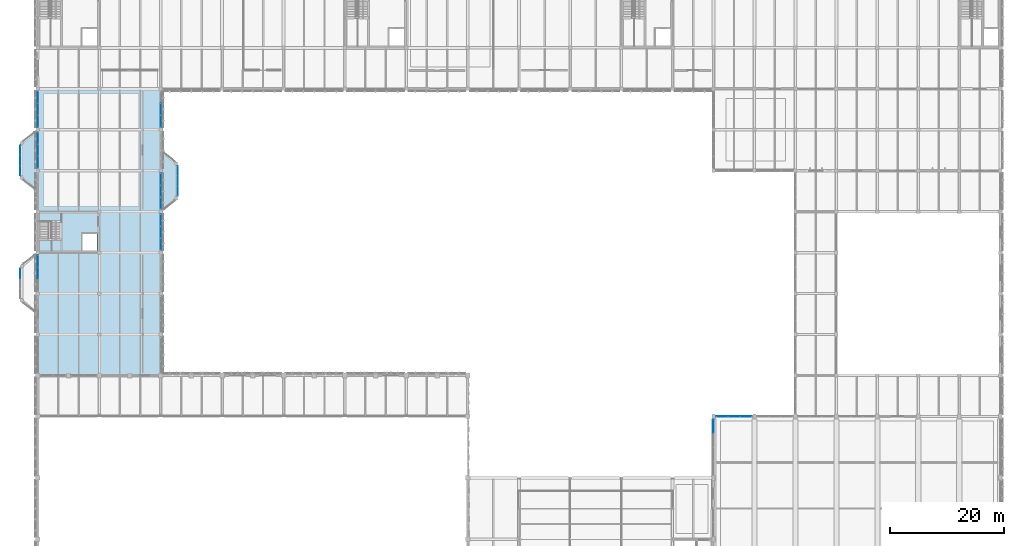
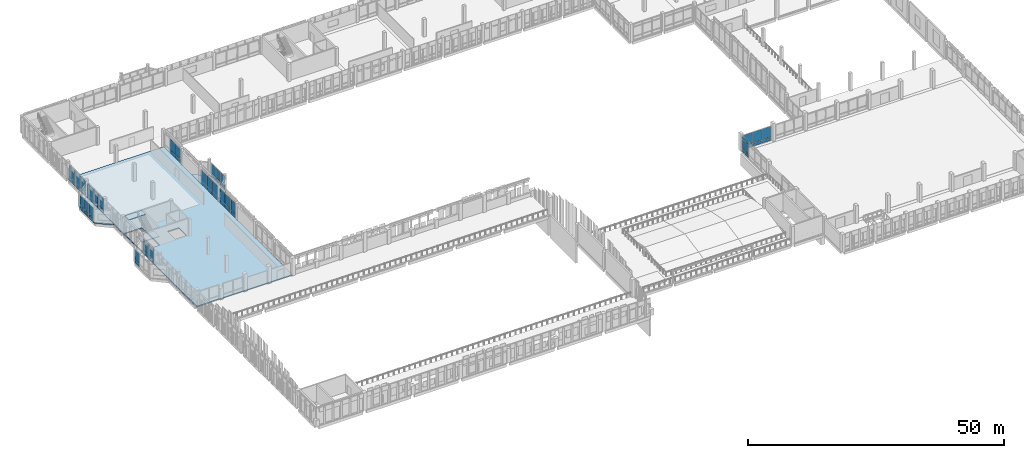
# One storey, part 122 of 158: 55 plates, 5 slabs, 12 elements without a shape of their own.
"""IFC4 building model written with IfcOpenShell, lengths in metres."""

from ifc_helpers import new_model, si_unit, direction, frame, origin, origin_2d, place, context, subcontext, project, spatial, polyline, rectangle, outline, extrude, material, layer, layer_set, type_object, element, aggregate, save


model = new_model("IFC4")

# Units and contexts
model_context = context("Model", 3, precision=1e-05, world=origin(), true_north=direction((0.0, 1.0)))
body_context = subcontext(model_context, "Body", "Model", "MODEL_VIEW")
ifc_project = project(units=[si_unit("LENGTHUNIT", "METRE"), si_unit("AREAUNIT", "SQUARE_METRE"), si_unit("VOLUMEUNIT", "CUBIC_METRE"), si_unit("PLANEANGLEUNIT", "RADIAN"), si_unit("MASSUNIT", "GRAM", prefix="KILO")], contexts=[model_context])

# Site, building, storey
site_placement = place(None, origin())
site = spatial("IfcSite", under=ifc_project, at=site_placement, CompositionType="ELEMENT")
building_placement = place(site_placement, origin())
building = spatial("IfcBuilding", under=site, at=building_placement, Name="Lusvemor Sports Hall", CompositionType="ELEMENT")
storey_placement = place(building_placement, frame((0.0, 0.0, 10.800048828125)))
storey = spatial("IfcBuildingStorey", under=building, at=storey_placement, Name="L02", CompositionType="ELEMENT", Elevation=10.800048828125)

# Curtain wall, plates
ifc_material_1 = material(Name="Thermally broken bronze-anodized aluminium", Category="aluminium")
curtain_wall_type_1 = type_object("IfcCurtainWallType", Name="CW_COURT_C", PredefinedType="NOTDEFINED", material=ifc_material_1)
curtain_wall_1_placement = place(storey_placement, origin())
curtain_wall_1 = element("IfcCurtainWall", 1, at=curtain_wall_1_placement, inside=storey, type_object=curtain_wall_type_1, Name="Curtain Wall CW-V2N-L02-0", PredefinedType="NOTDEFINED")
ifc_material_2 = material(Name="Solar-control laminated double glazing", Category="glass")
ifc_layer_1 = layer(ifc_material_2, 0.028076171875)
ifc_layer_set_1 = layer_set([ifc_layer_1], Name="Solar-control laminated double glazing")
plate_type_1 = type_object("IfcPlateType", Name="CW_PAN_GLZ_28", PredefinedType="CURTAIN_PANEL", material=ifc_layer_set_1)
plate_1_placement = place(storey_placement, frame((120.3095703125, 39.60009765625, 0.8798828125), z_axis=(0.0, 0.0, 1.0), x_axis=(1.0, 0.0, 0.0)))
plate_1 = element("IfcPlate", 2, at=plate_1_placement, type_object=plate_type_1, Name="CW03 panel 1.2", PredefinedType="CURTAIN_PANEL", context=body_context, shape_type="SweptSolid", body=[
    extrude(rectangle(XDim=2.00927734375, YDim=0.028076171875, at=origin_2d()), origin(), (0.0, 0.0, 1.0), 2.56005859375),
])
plate_2_placement = place(storey_placement, frame((122.39990234375, 39.60009765625, 0.8798828125), z_axis=(0.0, 0.0, 1.0), x_axis=(1.0, 0.0, 0.0)))
plate_2 = element("IfcPlate", 3, at=plate_2_placement, type_object=plate_type_1, Name="CW03 panel 2.2", PredefinedType="CURTAIN_PANEL", context=body_context, shape_type="SweptSolid", body=[
    extrude(rectangle(XDim=2.041748046875, YDim=0.028076171875, at=origin_2d()), origin(), (0.0, 0.0, 1.0), 2.56005859375),
])
plate_3_placement = place(storey_placement, frame((124.490478515625, 39.60009765625, 0.8798828125), z_axis=(0.0, 0.0, 1.0), x_axis=(1.0, 0.0, 0.0)))
plate_3 = element("IfcPlate", 4, at=plate_3_placement, type_object=plate_type_1, Name="CW03 panel 3.2", PredefinedType="CURTAIN_PANEL", context=body_context, shape_type="SweptSolid", body=[
    extrude(rectangle(XDim=2.00927734375, YDim=0.028076171875, at=origin_2d()), origin(), (0.0, 0.0, 1.0), 2.56005859375),
])

ifc_material_3 = material(Name="Thermally broken bronze-anodized aluminium", Category="aluminium")
curtain_wall_type_2 = type_object("IfcCurtainWallType", Name="CW_WING_B", PredefinedType="NOTDEFINED", material=ifc_material_3)
curtain_wall_2_placement = place(storey_placement, origin())
curtain_wall_2 = element("IfcCurtainWall", 5, at=curtain_wall_2_placement, inside=storey, type_object=curtain_wall_type_2, Name="Curtain Wall CW-L02-W-0-2", PredefinedType="NOTDEFINED")
plate_4_placement = place(storey_placement, frame((0.0, 64.800048828125, 0.8798828125), z_axis=(0.0, 0.0, 1.0), x_axis=(0.0, 1.0, 0.0)))
plate_4 = element("IfcPlate", 6, at=plate_4_placement, type_object=plate_type_1, Name="CW02 panel 2.2", PredefinedType="CURTAIN_PANEL", context=body_context, shape_type="SweptSolid", body=[
    extrude(rectangle(XDim=2.054931640625, YDim=0.028076171875, at=origin_2d()), origin(), (0.0, 0.0, 1.0), 2.580078125),
])
plate_5_placement = place(storey_placement, frame((0.0, 66.90380859375, 0.8798828125), z_axis=(0.0, 0.0, 1.0), x_axis=(0.0, 1.0, 0.0)))
plate_5 = element("IfcPlate", 7, at=plate_5_placement, type_object=plate_type_1, Name="CW02 panel 3.2", PredefinedType="CURTAIN_PANEL", context=body_context, shape_type="SweptSolid", body=[
    extrude(rectangle(XDim=2.0224609375, YDim=0.028076171875, at=origin_2d()), origin(), (0.0, 0.0, 1.0), 2.580078125),
])

curtain_wall_3_placement = place(storey_placement, origin())
curtain_wall_3 = element("IfcCurtainWall", 8, at=curtain_wall_3_placement, inside=storey, type_object=curtain_wall_type_2, Name="Curtain Wall CW-L02-W-0-5", PredefinedType="NOTDEFINED")
plate_6_placement = place(storey_placement, frame((0.0, 84.296142578125, 0.8798828125), z_axis=(0.0, 0.0, 1.0), x_axis=(0.0, 1.0, 0.0)))
plate_6 = element("IfcPlate", 9, at=plate_6_placement, type_object=plate_type_1, Name="CW02 panel 1.2", PredefinedType="CURTAIN_PANEL", context=body_context, shape_type="SweptSolid", body=[
    extrude(rectangle(XDim=2.0224609375, YDim=0.028076171875, at=origin_2d()), origin(), (0.0, 0.0, 1.0), 2.580078125),
])
plate_7_placement = place(storey_placement, frame((0.0, 86.39990234375, 0.8798828125), z_axis=(0.0, 0.0, 1.0), x_axis=(0.0, 1.0, 0.0)))
plate_7 = element("IfcPlate", 10, at=plate_7_placement, type_object=plate_type_1, Name="CW02 panel 2.2", PredefinedType="CURTAIN_PANEL", context=body_context, shape_type="SweptSolid", body=[
    extrude(rectangle(XDim=2.054931640625, YDim=0.028076171875, at=origin_2d()), origin(), (0.0, 0.0, 1.0), 2.580078125),
])
plate_8_placement = place(storey_placement, frame((0.0, 88.503662109375, 0.8798828125), z_axis=(0.0, 0.0, 1.0), x_axis=(0.0, 1.0, 0.0)))
plate_8 = element("IfcPlate", 11, at=plate_8_placement, type_object=plate_type_1, Name="CW02 panel 3.2", PredefinedType="CURTAIN_PANEL", context=body_context, shape_type="SweptSolid", body=[
    extrude(rectangle(XDim=2.0224609375, YDim=0.028076171875, at=origin_2d()), origin(), (0.0, 0.0, 1.0), 2.580078125),
])

curtain_wall_4_placement = place(storey_placement, origin())
curtain_wall_4 = element("IfcCurtainWall", 12, at=curtain_wall_4_placement, inside=storey, type_object=curtain_wall_type_2, Name="Curtain Wall CW-L02-W-0-6", PredefinedType="NOTDEFINED")
plate_9_placement = place(storey_placement, frame((0.0, 91.496337890625, 0.8798828125), z_axis=(0.0, 0.0, 1.0), x_axis=(0.0, 1.0, 0.0)))
plate_9 = element("IfcPlate", 13, at=plate_9_placement, type_object=plate_type_1, Name="CW02 panel 1.2", PredefinedType="CURTAIN_PANEL", context=body_context, shape_type="SweptSolid", body=[
    extrude(rectangle(XDim=2.0224609375, YDim=0.028076171875, at=origin_2d()), origin(), (0.0, 0.0, 1.0), 2.580078125),
])
plate_10_placement = place(storey_placement, frame((0.0, 93.60009765625, 0.8798828125), z_axis=(0.0, 0.0, 1.0), x_axis=(0.0, 1.0, 0.0)))
plate_10 = element("IfcPlate", 14, at=plate_10_placement, type_object=plate_type_1, Name="CW02 panel 2.2", PredefinedType="CURTAIN_PANEL", context=body_context, shape_type="SweptSolid", body=[
    extrude(rectangle(XDim=2.054931640625, YDim=0.028076171875, at=origin_2d()), origin(), (0.0, 0.0, 1.0), 2.580078125),
])
plate_11_placement = place(storey_placement, frame((0.0, 95.703857421875, 0.8798828125), z_axis=(0.0, 0.0, 1.0), x_axis=(0.0, 1.0, 0.0)))
plate_11 = element("IfcPlate", 15, at=plate_11_placement, type_object=plate_type_1, Name="CW02 panel 3.2", PredefinedType="CURTAIN_PANEL", context=body_context, shape_type="SweptSolid", body=[
    extrude(rectangle(XDim=2.0224609375, YDim=0.028076171875, at=origin_2d()), origin(), (0.0, 0.0, 1.0), 2.580078125),
])

curtain_wall_5_placement = place(storey_placement, origin())
curtain_wall_5 = element("IfcCurtainWall", 16, at=curtain_wall_5_placement, inside=storey, type_object=curtain_wall_type_2, Name="Curtain Wall CW-L02-E-5-3", PredefinedType="NOTDEFINED")
plate_12_placement = place(storey_placement, frame((21.60009765625, 74.103759765625, 0.8798828125), z_axis=(0.0, 0.0, 1.0), x_axis=(0.0, -1.0, 0.0)))
plate_12 = element("IfcPlate", 17, at=plate_12_placement, type_object=plate_type_1, Name="CW02 panel 1.2", PredefinedType="CURTAIN_PANEL", context=body_context, shape_type="SweptSolid", body=[
    extrude(rectangle(XDim=2.0224609375, YDim=0.028076171875, at=origin_2d()), origin(), (0.0, 0.0, 1.0), 2.580078125),
])
plate_13_placement = place(storey_placement, frame((21.60009765625, 72.0, 0.8798828125), z_axis=(0.0, 0.0, 1.0), x_axis=(0.0, -1.0, 0.0)))
plate_13 = element("IfcPlate", 18, at=plate_13_placement, type_object=plate_type_1, Name="CW02 panel 2.2", PredefinedType="CURTAIN_PANEL", context=body_context, shape_type="SweptSolid", body=[
    extrude(rectangle(XDim=2.054931640625, YDim=0.028076171875, at=origin_2d()), origin(), (0.0, 0.0, 1.0), 2.580078125),
])
plate_14_placement = place(storey_placement, frame((21.60009765625, 69.896240234375, 0.8798828125), z_axis=(0.0, 0.0, 1.0), x_axis=(0.0, -1.0, 0.0)))
plate_14 = element("IfcPlate", 19, at=plate_14_placement, type_object=plate_type_1, Name="CW02 panel 3.2", PredefinedType="CURTAIN_PANEL", context=body_context, shape_type="SweptSolid", body=[
    extrude(rectangle(XDim=2.0224609375, YDim=0.028076171875, at=origin_2d()), origin(), (0.0, 0.0, 1.0), 2.580078125),
])

curtain_wall_6_placement = place(storey_placement, origin())
curtain_wall_6 = element("IfcCurtainWall", 20, at=curtain_wall_6_placement, inside=storey, type_object=curtain_wall_type_2, Name="Curtain Wall CW-L02-E-5-4", PredefinedType="NOTDEFINED")
plate_15_placement = place(storey_placement, frame((21.60009765625, 81.3037109375, 0.8798828125), z_axis=(0.0, 0.0, 1.0), x_axis=(0.0, -1.0, 0.0)))
plate_15 = element("IfcPlate", 21, at=plate_15_placement, type_object=plate_type_1, Name="CW02 panel 1.2", PredefinedType="CURTAIN_PANEL", context=body_context, shape_type="SweptSolid", body=[
    extrude(rectangle(XDim=2.0224609375, YDim=0.028076171875, at=origin_2d()), origin(), (0.0, 0.0, 1.0), 2.580078125),
])
plate_16_placement = place(storey_placement, frame((21.60009765625, 79.199951171875, 0.8798828125), z_axis=(0.0, 0.0, 1.0), x_axis=(0.0, -1.0, 0.0)))
plate_16 = element("IfcPlate", 22, at=plate_16_placement, type_object=plate_type_1, Name="CW02 panel 2.2", PredefinedType="CURTAIN_PANEL", context=body_context, shape_type="SweptSolid", body=[
    extrude(rectangle(XDim=2.054931640625, YDim=0.028076171875, at=origin_2d()), origin(), (0.0, 0.0, 1.0), 2.580078125),
])
plate_17_placement = place(storey_placement, frame((21.60009765625, 77.09619140625, 0.8798828125), z_axis=(0.0, 0.0, 1.0), x_axis=(0.0, -1.0, 0.0)))
plate_17 = element("IfcPlate", 23, at=plate_17_placement, type_object=plate_type_1, Name="CW02 panel 3.2", PredefinedType="CURTAIN_PANEL", context=body_context, shape_type="SweptSolid", body=[
    extrude(rectangle(XDim=2.0224609375, YDim=0.028076171875, at=origin_2d()), origin(), (0.0, 0.0, 1.0), 2.580078125),
])

curtain_wall_7_placement = place(storey_placement, origin())
curtain_wall_7 = element("IfcCurtainWall", 24, at=curtain_wall_7_placement, inside=storey, type_object=curtain_wall_type_2, Name="Curtain Wall CW-L02-E-5-6", PredefinedType="NOTDEFINED")
plate_18_placement = place(storey_placement, frame((21.60009765625, 93.60009765625, 0.8798828125), z_axis=(0.0, 0.0, 1.0), x_axis=(0.0, -1.0, 0.0)))
plate_18 = element("IfcPlate", 25, at=plate_18_placement, type_object=plate_type_1, Name="CW02 panel 2.2", PredefinedType="CURTAIN_PANEL", context=body_context, shape_type="SweptSolid", body=[
    extrude(rectangle(XDim=2.054931640625, YDim=0.028076171875, at=origin_2d()), origin(), (0.0, 0.0, 1.0), 2.580078125),
])
plate_19_placement = place(storey_placement, frame((21.60009765625, 91.496337890625, 0.8798828125), z_axis=(0.0, 0.0, 1.0), x_axis=(0.0, -1.0, 0.0)))
plate_19 = element("IfcPlate", 26, at=plate_19_placement, type_object=plate_type_1, Name="CW02 panel 3.2", PredefinedType="CURTAIN_PANEL", context=body_context, shape_type="SweptSolid", body=[
    extrude(rectangle(XDim=2.0224609375, YDim=0.028076171875, at=origin_2d()), origin(), (0.0, 0.0, 1.0), 2.580078125),
])

curtain_wall_8_placement = place(storey_placement, origin())
curtain_wall_8 = element("IfcCurtainWall", 27, at=curtain_wall_8_placement, inside=storey, type_object=curtain_wall_type_1, Name="Curtain Wall CW-V2W-L02-3", PredefinedType="NOTDEFINED")
plate_20_placement = place(storey_placement, frame((118.800048828125, 37.873779296875, 0.830078125), z_axis=(0.0, 0.0, 1.0), x_axis=(0.0, 1.0, 0.0)))
plate_20 = element("IfcPlate", 28, at=plate_20_placement, type_object=plate_type_1, Name="CW03 panel 4.2", PredefinedType="CURTAIN_PANEL", context=body_context, shape_type="SweptSolid", body=[
    extrude(rectangle(XDim=2.362548828125, YDim=0.028076171875, at=origin_2d()), origin(), (0.0, 0.0, 1.0), 2.239990234375),
])
plate_21_placement = place(storey_placement, frame((118.800048828125, 37.873779296875, 3.1298828125), z_axis=(0.0, 0.0, 1.0), x_axis=(0.0, 1.0, 0.0)))
plate_21 = element("IfcPlate", 29, at=plate_21_placement, type_object=plate_type_1, Name="CW03 panel 4.3", PredefinedType="CURTAIN_PANEL", context=body_context, shape_type="SweptSolid", body=[
    extrude(rectangle(XDim=2.362548828125, YDim=0.028076171875, at=origin_2d()), origin(), (0.0, 0.0, 1.0), 0.659912109375),
])

# Curtain wall, plate
ifc_material_4 = material(Name="Thermally broken bronze-anodized aluminium", Category="aluminium")
curtain_wall_type_3 = type_object("IfcCurtainWallType", Name="CW_FOYER_A", PredefinedType="NOTDEFINED", material=ifc_material_4)
curtain_wall_9_placement = place(storey_placement, origin())
curtain_wall_9 = element("IfcCurtainWall", 30, at=curtain_wall_9_placement, inside=storey, type_object=curtain_wall_type_3, Name="Curtain Wall CW-BOW-W1-L02-M", PredefinedType="NOTDEFINED")
plate_22_placement = place(storey_placement, frame((-3.10009765625, 64.749267578125, 0.88232421875), z_axis=(0.0, 0.0, 1.0), x_axis=(0.0, 1.0, 0.0)))
plate_22 = element("IfcPlate", 31, at=plate_22_placement, type_object=plate_type_1, Name="CW01 panel 3.2", PredefinedType="CURTAIN_PANEL", context=body_context, shape_type="SweptSolid", body=[
    extrude(rectangle(XDim=1.66162109375, YDim=0.028076171875, at=origin_2d()), origin(), (0.0, 0.0, 1.0), 2.33251953125),
])

# Curtain wall, plates
curtain_wall_10_placement = place(storey_placement, origin())
curtain_wall_10 = element("IfcCurtainWall", 32, at=curtain_wall_10_placement, inside=storey, type_object=curtain_wall_type_3, Name="Curtain Wall CW-BOW-W2-L02-M", PredefinedType="NOTDEFINED")
plate_23_placement = place(storey_placement, frame((-3.10009765625, 82.850830078125, 0.88232421875), z_axis=(0.0, 0.0, 1.0), x_axis=(0.0, 1.0, 0.0)))
plate_23 = element("IfcPlate", 33, at=plate_23_placement, type_object=plate_type_1, Name="CW01 panel 1.2", PredefinedType="CURTAIN_PANEL", context=body_context, shape_type="SweptSolid", body=[
    extrude(rectangle(XDim=1.66162109375, YDim=0.028076171875, at=origin_2d()), origin(), (0.0, 0.0, 1.0), 2.33251953125),
])
plate_24_placement = place(storey_placement, frame((-3.10009765625, 84.60009765625, 0.88232421875), z_axis=(0.0, 0.0, 1.0), x_axis=(0.0, 1.0, 0.0)))
plate_24 = element("IfcPlate", 34, at=plate_24_placement, type_object=plate_type_1, Name="CW01 panel 2.2", PredefinedType="CURTAIN_PANEL", context=body_context, shape_type="SweptSolid", body=[
    extrude(rectangle(XDim=1.69677734375, YDim=0.028076171875, at=origin_2d()), origin(), (0.0, 0.0, 1.0), 2.33251953125),
])
plate_25_placement = place(storey_placement, frame((-3.10009765625, 86.34912109375, 0.88232421875), z_axis=(0.0, 0.0, 1.0), x_axis=(0.0, 1.0, 0.0)))
plate_25 = element("IfcPlate", 35, at=plate_25_placement, type_object=plate_type_1, Name="CW01 panel 3.2", PredefinedType="CURTAIN_PANEL", context=body_context, shape_type="SweptSolid", body=[
    extrude(rectangle(XDim=1.66162109375, YDim=0.028076171875, at=origin_2d()), origin(), (0.0, 0.0, 1.0), 2.33251953125),
])

curtain_wall_11_placement = place(storey_placement, origin())
curtain_wall_11 = element("IfcCurtainWall", 36, at=curtain_wall_11_placement, inside=storey, type_object=curtain_wall_type_3, Name="Curtain Wall CW-BOW-CT-L02-M", PredefinedType="NOTDEFINED")
plate_26_placement = place(storey_placement, frame((24.60009765625, 82.749267578125, 0.88232421875), z_axis=(0.0, 0.0, 1.0), x_axis=(0.0, -1.0, 0.0)))
plate_26 = element("IfcPlate", 37, at=plate_26_placement, type_object=plate_type_1, Name="CW01 panel 1.2", PredefinedType="CURTAIN_PANEL", context=body_context, shape_type="SweptSolid", body=[
    extrude(rectangle(XDim=1.66162109375, YDim=0.028076171875, at=origin_2d()), origin(), (0.0, 0.0, 1.0), 2.33251953125),
])
plate_27_placement = place(storey_placement, frame((24.60009765625, 81.0, 0.88232421875), z_axis=(0.0, 0.0, 1.0), x_axis=(0.0, -1.0, 0.0)))
plate_27 = element("IfcPlate", 38, at=plate_27_placement, type_object=plate_type_1, Name="CW01 panel 2.2", PredefinedType="CURTAIN_PANEL", context=body_context, shape_type="SweptSolid", body=[
    extrude(rectangle(XDim=1.69677734375, YDim=0.028076171875, at=origin_2d()), origin(), (0.0, 0.0, 1.0), 2.33251953125),
])
plate_28_placement = place(storey_placement, frame((24.60009765625, 79.250732421875, 0.88232421875), z_axis=(0.0, 0.0, 1.0), x_axis=(0.0, -1.0, 0.0)))
plate_28 = element("IfcPlate", 39, at=plate_28_placement, type_object=plate_type_1, Name="CW01 panel 3.2", PredefinedType="CURTAIN_PANEL", context=body_context, shape_type="SweptSolid", body=[
    extrude(rectangle(XDim=1.66162109375, YDim=0.028076171875, at=origin_2d()), origin(), (0.0, 0.0, 1.0), 2.33251953125),
])

# Plate
ifc_material_5 = material(Name="Emerald polychrome glazed ceramic cladding on Concrete C40/50 backing", Category="concrete")
ifc_layer_2 = layer(ifc_material_5, 0.048095703125)
ifc_layer_set_2 = layer_set([ifc_layer_2], Name="Emerald polychrome glazed ceramic cladding on Concrete C40/50 backing")
plate_type_2 = type_object("IfcPlateType", Name="CW_PAN_SPN_48", PredefinedType="CURTAIN_PANEL", material=ifc_layer_set_2)
plate_29_placement = place(storey_placement, frame((120.3095703125, 39.60009765625, 0.06005859375), z_axis=(0.0, 0.0, 1.0), x_axis=(1.0, 0.0, 0.0)))
plate_29 = element("IfcPlate", 40, at=plate_29_placement, type_object=plate_type_2, Name="CW03 panel 1.1", PredefinedType="CURTAIN_PANEL", context=body_context, shape_type="SweptSolid", body=[
    extrude(rectangle(XDim=2.00927734375, YDim=0.048095703125, at=origin_2d()), origin(), (0.0, 0.0, 1.0), 0.760009765625),
])

plate_30_placement = place(storey_placement, frame((122.39990234375, 39.60009765625, 0.06005859375), z_axis=(0.0, 0.0, 1.0), x_axis=(1.0, 0.0, 0.0)))
plate_30 = element("IfcPlate", 41, at=plate_30_placement, type_object=plate_type_2, Name="CW03 panel 2.1", PredefinedType="CURTAIN_PANEL", context=body_context, shape_type="SweptSolid", body=[
    extrude(rectangle(XDim=2.041748046875, YDim=0.048095703125, at=origin_2d()), origin(), (0.0, 0.0, 1.0), 0.760009765625),
])

plate_31_placement = place(storey_placement, frame((124.490478515625, 39.60009765625, 0.06005859375), z_axis=(0.0, 0.0, 1.0), x_axis=(1.0, 0.0, 0.0)))
plate_31 = element("IfcPlate", 42, at=plate_31_placement, type_object=plate_type_2, Name="CW03 panel 3.1", PredefinedType="CURTAIN_PANEL", context=body_context, shape_type="SweptSolid", body=[
    extrude(rectangle(XDim=2.00927734375, YDim=0.048095703125, at=origin_2d()), origin(), (0.0, 0.0, 1.0), 0.760009765625),
])

aggregate(curtain_wall_1, [plate_29, plate_1, plate_30, plate_2, plate_31, plate_3])

plate_32_placement = place(storey_placement, frame((0.0, 64.800048828125, 0.06005859375), z_axis=(0.0, 0.0, 1.0), x_axis=(0.0, 1.0, 0.0)))
plate_32 = element("IfcPlate", 43, at=plate_32_placement, type_object=plate_type_2, Name="CW02 panel 2.1", PredefinedType="CURTAIN_PANEL", context=body_context, shape_type="SweptSolid", body=[
    extrude(rectangle(XDim=2.054931640625, YDim=0.048095703125, at=origin_2d()), origin(), (0.0, 0.0, 1.0), 0.760009765625),
])

plate_33_placement = place(storey_placement, frame((0.0, 66.90380859375, 0.06005859375), z_axis=(0.0, 0.0, 1.0), x_axis=(0.0, 1.0, 0.0)))
plate_33 = element("IfcPlate", 44, at=plate_33_placement, type_object=plate_type_2, Name="CW02 panel 3.1", PredefinedType="CURTAIN_PANEL", context=body_context, shape_type="SweptSolid", body=[
    extrude(rectangle(XDim=2.0224609375, YDim=0.048095703125, at=origin_2d()), origin(), (0.0, 0.0, 1.0), 0.760009765625),
])

aggregate(curtain_wall_2, [plate_32, plate_4, plate_33, plate_5])

plate_34_placement = place(storey_placement, frame((0.0, 84.296142578125, 0.06005859375), z_axis=(0.0, 0.0, 1.0), x_axis=(0.0, 1.0, 0.0)))
plate_34 = element("IfcPlate", 45, at=plate_34_placement, type_object=plate_type_2, Name="CW02 panel 1.1", PredefinedType="CURTAIN_PANEL", context=body_context, shape_type="SweptSolid", body=[
    extrude(rectangle(XDim=2.0224609375, YDim=0.048095703125, at=origin_2d()), origin(), (0.0, 0.0, 1.0), 0.760009765625),
])

plate_35_placement = place(storey_placement, frame((0.0, 86.39990234375, 0.06005859375), z_axis=(0.0, 0.0, 1.0), x_axis=(0.0, 1.0, 0.0)))
plate_35 = element("IfcPlate", 46, at=plate_35_placement, type_object=plate_type_2, Name="CW02 panel 2.1", PredefinedType="CURTAIN_PANEL", context=body_context, shape_type="SweptSolid", body=[
    extrude(rectangle(XDim=2.054931640625, YDim=0.048095703125, at=origin_2d()), origin(), (0.0, 0.0, 1.0), 0.760009765625),
])

plate_36_placement = place(storey_placement, frame((0.0, 88.503662109375, 0.06005859375), z_axis=(0.0, 0.0, 1.0), x_axis=(0.0, 1.0, 0.0)))
plate_36 = element("IfcPlate", 47, at=plate_36_placement, type_object=plate_type_2, Name="CW02 panel 3.1", PredefinedType="CURTAIN_PANEL", context=body_context, shape_type="SweptSolid", body=[
    extrude(rectangle(XDim=2.0224609375, YDim=0.048095703125, at=origin_2d()), origin(), (0.0, 0.0, 1.0), 0.760009765625),
])

aggregate(curtain_wall_3, [plate_34, plate_6, plate_35, plate_7, plate_36, plate_8])

plate_37_placement = place(storey_placement, frame((0.0, 91.496337890625, 0.06005859375), z_axis=(0.0, 0.0, 1.0), x_axis=(0.0, 1.0, 0.0)))
plate_37 = element("IfcPlate", 48, at=plate_37_placement, type_object=plate_type_2, Name="CW02 panel 1.1", PredefinedType="CURTAIN_PANEL", context=body_context, shape_type="SweptSolid", body=[
    extrude(rectangle(XDim=2.0224609375, YDim=0.048095703125, at=origin_2d()), origin(), (0.0, 0.0, 1.0), 0.760009765625),
])

plate_38_placement = place(storey_placement, frame((0.0, 93.60009765625, 0.06005859375), z_axis=(0.0, 0.0, 1.0), x_axis=(0.0, 1.0, 0.0)))
plate_38 = element("IfcPlate", 49, at=plate_38_placement, type_object=plate_type_2, Name="CW02 panel 2.1", PredefinedType="CURTAIN_PANEL", context=body_context, shape_type="SweptSolid", body=[
    extrude(rectangle(XDim=2.054931640625, YDim=0.048095703125, at=origin_2d()), origin(), (0.0, 0.0, 1.0), 0.760009765625),
])

plate_39_placement = place(storey_placement, frame((0.0, 95.703857421875, 0.06005859375), z_axis=(0.0, 0.0, 1.0), x_axis=(0.0, 1.0, 0.0)))
plate_39 = element("IfcPlate", 50, at=plate_39_placement, type_object=plate_type_2, Name="CW02 panel 3.1", PredefinedType="CURTAIN_PANEL", context=body_context, shape_type="SweptSolid", body=[
    extrude(rectangle(XDim=2.0224609375, YDim=0.048095703125, at=origin_2d()), origin(), (0.0, 0.0, 1.0), 0.760009765625),
])

aggregate(curtain_wall_4, [plate_37, plate_9, plate_38, plate_10, plate_39, plate_11])

plate_40_placement = place(storey_placement, frame((21.60009765625, 74.103759765625, 0.06005859375), z_axis=(0.0, 0.0, 1.0), x_axis=(0.0, -1.0, 0.0)))
plate_40 = element("IfcPlate", 51, at=plate_40_placement, type_object=plate_type_2, Name="CW02 panel 1.1", PredefinedType="CURTAIN_PANEL", context=body_context, shape_type="SweptSolid", body=[
    extrude(rectangle(XDim=2.0224609375, YDim=0.048095703125, at=origin_2d()), origin(), (0.0, 0.0, 1.0), 0.760009765625),
])

plate_41_placement = place(storey_placement, frame((21.60009765625, 72.0, 0.06005859375), z_axis=(0.0, 0.0, 1.0), x_axis=(0.0, -1.0, 0.0)))
plate_41 = element("IfcPlate", 52, at=plate_41_placement, type_object=plate_type_2, Name="CW02 panel 2.1", PredefinedType="CURTAIN_PANEL", context=body_context, shape_type="SweptSolid", body=[
    extrude(rectangle(XDim=2.054931640625, YDim=0.048095703125, at=origin_2d()), origin(), (0.0, 0.0, 1.0), 0.760009765625),
])

plate_42_placement = place(storey_placement, frame((21.60009765625, 69.896240234375, 0.06005859375), z_axis=(0.0, 0.0, 1.0), x_axis=(0.0, -1.0, 0.0)))
plate_42 = element("IfcPlate", 53, at=plate_42_placement, type_object=plate_type_2, Name="CW02 panel 3.1", PredefinedType="CURTAIN_PANEL", context=body_context, shape_type="SweptSolid", body=[
    extrude(rectangle(XDim=2.0224609375, YDim=0.048095703125, at=origin_2d()), origin(), (0.0, 0.0, 1.0), 0.760009765625),
])

aggregate(curtain_wall_5, [plate_40, plate_12, plate_41, plate_13, plate_42, plate_14])

plate_43_placement = place(storey_placement, frame((21.60009765625, 81.3037109375, 0.06005859375), z_axis=(0.0, 0.0, 1.0), x_axis=(0.0, -1.0, 0.0)))
plate_43 = element("IfcPlate", 54, at=plate_43_placement, type_object=plate_type_2, Name="CW02 panel 1.1", PredefinedType="CURTAIN_PANEL", context=body_context, shape_type="SweptSolid", body=[
    extrude(rectangle(XDim=2.0224609375, YDim=0.048095703125, at=origin_2d()), origin(), (0.0, 0.0, 1.0), 0.760009765625),
])

plate_44_placement = place(storey_placement, frame((21.60009765625, 79.199951171875, 0.06005859375), z_axis=(0.0, 0.0, 1.0), x_axis=(0.0, -1.0, 0.0)))
plate_44 = element("IfcPlate", 55, at=plate_44_placement, type_object=plate_type_2, Name="CW02 panel 2.1", PredefinedType="CURTAIN_PANEL", context=body_context, shape_type="SweptSolid", body=[
    extrude(rectangle(XDim=2.054931640625, YDim=0.048095703125, at=origin_2d()), origin(), (0.0, 0.0, 1.0), 0.760009765625),
])

plate_45_placement = place(storey_placement, frame((21.60009765625, 77.09619140625, 0.06005859375), z_axis=(0.0, 0.0, 1.0), x_axis=(0.0, -1.0, 0.0)))
plate_45 = element("IfcPlate", 56, at=plate_45_placement, type_object=plate_type_2, Name="CW02 panel 3.1", PredefinedType="CURTAIN_PANEL", context=body_context, shape_type="SweptSolid", body=[
    extrude(rectangle(XDim=2.0224609375, YDim=0.048095703125, at=origin_2d()), origin(), (0.0, 0.0, 1.0), 0.760009765625),
])

aggregate(curtain_wall_6, [plate_43, plate_15, plate_44, plate_16, plate_45, plate_17])

plate_46_placement = place(storey_placement, frame((21.60009765625, 93.60009765625, 0.06005859375), z_axis=(0.0, 0.0, 1.0), x_axis=(0.0, -1.0, 0.0)))
plate_46 = element("IfcPlate", 57, at=plate_46_placement, type_object=plate_type_2, Name="CW02 panel 2.1", PredefinedType="CURTAIN_PANEL", context=body_context, shape_type="SweptSolid", body=[
    extrude(rectangle(XDim=2.054931640625, YDim=0.048095703125, at=origin_2d()), origin(), (0.0, 0.0, 1.0), 0.760009765625),
])

plate_47_placement = place(storey_placement, frame((21.60009765625, 91.496337890625, 0.06005859375), z_axis=(0.0, 0.0, 1.0), x_axis=(0.0, -1.0, 0.0)))
plate_47 = element("IfcPlate", 58, at=plate_47_placement, type_object=plate_type_2, Name="CW02 panel 3.1", PredefinedType="CURTAIN_PANEL", context=body_context, shape_type="SweptSolid", body=[
    extrude(rectangle(XDim=2.0224609375, YDim=0.048095703125, at=origin_2d()), origin(), (0.0, 0.0, 1.0), 0.760009765625),
])

aggregate(curtain_wall_7, [plate_46, plate_18, plate_47, plate_19])

plate_48_placement = place(storey_placement, frame((118.800048828125, 37.873779296875, 0.009765625), z_axis=(0.0, 0.0, 1.0), x_axis=(0.0, 1.0, 0.0)))
plate_48 = element("IfcPlate", 59, at=plate_48_placement, type_object=plate_type_2, Name="CW03 panel 4.1", PredefinedType="CURTAIN_PANEL", context=body_context, shape_type="SweptSolid", body=[
    extrude(rectangle(XDim=2.362548828125, YDim=0.048095703125, at=origin_2d()), origin(), (0.0, 0.0, 1.0), 0.760009765625),
])

aggregate(curtain_wall_8, [plate_48, plate_20, plate_21])

plate_49_placement = place(storey_placement, frame((-3.10009765625, 64.749267578125, 0.06494140625), z_axis=(0.0, 0.0, 1.0), x_axis=(0.0, 1.0, 0.0)))
plate_49 = element("IfcPlate", 60, at=plate_49_placement, type_object=plate_type_2, Name="CW01 panel 3.1", PredefinedType="CURTAIN_PANEL", context=body_context, shape_type="SweptSolid", body=[
    extrude(rectangle(XDim=1.66162109375, YDim=0.048095703125, at=origin_2d()), origin(), (0.0, 0.0, 1.0), 0.75244140625),
])

aggregate(curtain_wall_9, [plate_49, plate_22])

plate_50_placement = place(storey_placement, frame((-3.10009765625, 82.850830078125, 0.06494140625), z_axis=(0.0, 0.0, 1.0), x_axis=(0.0, 1.0, 0.0)))
plate_50 = element("IfcPlate", 61, at=plate_50_placement, type_object=plate_type_2, Name="CW01 panel 1.1", PredefinedType="CURTAIN_PANEL", context=body_context, shape_type="SweptSolid", body=[
    extrude(rectangle(XDim=1.66162109375, YDim=0.048095703125, at=origin_2d()), origin(), (0.0, 0.0, 1.0), 0.75244140625),
])

plate_51_placement = place(storey_placement, frame((-3.10009765625, 84.60009765625, 0.06494140625), z_axis=(0.0, 0.0, 1.0), x_axis=(0.0, 1.0, 0.0)))
plate_51 = element("IfcPlate", 62, at=plate_51_placement, type_object=plate_type_2, Name="CW01 panel 2.1", PredefinedType="CURTAIN_PANEL", context=body_context, shape_type="SweptSolid", body=[
    extrude(rectangle(XDim=1.69677734375, YDim=0.048095703125, at=origin_2d()), origin(), (0.0, 0.0, 1.0), 0.75244140625),
])

plate_52_placement = place(storey_placement, frame((-3.10009765625, 86.34912109375, 0.06494140625), z_axis=(0.0, 0.0, 1.0), x_axis=(0.0, 1.0, 0.0)))
plate_52 = element("IfcPlate", 63, at=plate_52_placement, type_object=plate_type_2, Name="CW01 panel 3.1", PredefinedType="CURTAIN_PANEL", context=body_context, shape_type="SweptSolid", body=[
    extrude(rectangle(XDim=1.66162109375, YDim=0.048095703125, at=origin_2d()), origin(), (0.0, 0.0, 1.0), 0.75244140625),
])

aggregate(curtain_wall_10, [plate_50, plate_23, plate_51, plate_24, plate_52, plate_25])

plate_53_placement = place(storey_placement, frame((24.60009765625, 82.749267578125, 0.06494140625), z_axis=(0.0, 0.0, 1.0), x_axis=(0.0, -1.0, 0.0)))
plate_53 = element("IfcPlate", 64, at=plate_53_placement, type_object=plate_type_2, Name="CW01 panel 1.1", PredefinedType="CURTAIN_PANEL", context=body_context, shape_type="SweptSolid", body=[
    extrude(rectangle(XDim=1.66162109375, YDim=0.048095703125, at=origin_2d()), origin(), (0.0, 0.0, 1.0), 0.75244140625),
])

plate_54_placement = place(storey_placement, frame((24.60009765625, 81.0, 0.06494140625), z_axis=(0.0, 0.0, 1.0), x_axis=(0.0, -1.0, 0.0)))
plate_54 = element("IfcPlate", 65, at=plate_54_placement, type_object=plate_type_2, Name="CW01 panel 2.1", PredefinedType="CURTAIN_PANEL", context=body_context, shape_type="SweptSolid", body=[
    extrude(rectangle(XDim=1.69677734375, YDim=0.048095703125, at=origin_2d()), origin(), (0.0, 0.0, 1.0), 0.75244140625),
])

plate_55_placement = place(storey_placement, frame((24.60009765625, 79.250732421875, 0.06494140625), z_axis=(0.0, 0.0, 1.0), x_axis=(0.0, -1.0, 0.0)))
plate_55 = element("IfcPlate", 66, at=plate_55_placement, type_object=plate_type_2, Name="CW01 panel 3.1", PredefinedType="CURTAIN_PANEL", context=body_context, shape_type="SweptSolid", body=[
    extrude(rectangle(XDim=1.66162109375, YDim=0.048095703125, at=origin_2d()), origin(), (0.0, 0.0, 1.0), 0.75244140625),
])

aggregate(curtain_wall_11, [plate_53, plate_26, plate_54, plate_27, plate_55, plate_28])

# Slabs
ifc_material_6 = material(Name="Concrete C40/50", Category="concrete")
ifc_layer_3 = layer(ifc_material_6, 0.260009765625)
ifc_layer_set_3 = layer_set([ifc_layer_3], Name="Concrete C40/50")
slab_type_1 = type_object("IfcSlabType", Name="SLAB_INT_260", PredefinedType="FLOOR", material=ifc_layer_set_3)
slab_1_placement = place(storey_placement, frame((0.0, 0.0, -0.260009765625)))
element("IfcSlab", 67, at=slab_1_placement, inside=storey, type_object=slab_type_1, Name="Slab L02 V5-WEST", PredefinedType="FLOOR", context=body_context, shape_type="SweptSolid", body=[
    extrude(outline(polyline([(0.0, 46.800048828125), (21.60009765625, 46.800048828125), (21.60009765625, 97.199951171875), (0.0, 97.199951171875), (0.0, 46.800048828125)]), holes=[polyline([(0.159912109375, 68.56005859375), (4.139892578125, 68.56005859375), (4.139892578125, 75.43994140625), (0.159912109375, 75.43994140625), (0.159912109375, 68.56005859375)]), polyline([(7.800048828125, 68.800048828125), (10.39990234375, 68.800048828125), (10.39990234375, 71.800048828125), (7.800048828125, 71.800048828125), (7.800048828125, 68.800048828125)])]), origin(), (0.0, 0.0, 1.0), 0.260009765625),
])
slab_2_placement = place(storey_placement, frame((0.0, 0.0, -0.260009765625)))
element("IfcSlab", 68, at=slab_2_placement, inside=storey, type_object=slab_type_1, Name="Bow Pavilion Slab BOW-W2 (L02)", PredefinedType="FLOOR", context=body_context, shape_type="SweptSolid", body=[
    extrude(outline(polyline([(0.0, 79.199951171875), (-3.10009765625, 81.60009765625), (-3.10009765625, 87.60009765625), (0.0, 90.0), (0.0, 79.199951171875)])), origin(), (0.0, 0.0, 1.0), 0.260009765625),
])
slab_3_placement = place(storey_placement, frame((0.0, 0.0, -0.260009765625)))
element("IfcSlab", 69, at=slab_3_placement, inside=storey, type_object=slab_type_1, Name="Bow Pavilion Slab BOW-CT (L02)", PredefinedType="FLOOR", context=body_context, shape_type="SweptSolid", body=[
    extrude(outline(polyline([(21.60009765625, 86.39990234375), (24.60009765625, 84.0), (24.60009765625, 78.0), (21.60009765625, 75.60009765625), (21.60009765625, 86.39990234375)])), origin(), (0.0, 0.0, 1.0), 0.260009765625),
])

# Stair, slabs
ifc_material_7 = material(Name="Concrete C40/50", Category="concrete")
stair_type = type_object("IfcStairType", Name="STAIR_CORE_420", PredefinedType="HALF_TURN_STAIR", material=ifc_material_7)
stair_placement = place(storey_placement, origin())
stair = element("IfcStair", 70, at=stair_placement, inside=storey, type_object=stair_type, Name="Escape Stair C3 (L02)", PredefinedType="HALF_TURN_STAIR")
ifc_material_8 = material(Name="Concrete C40/50", Category="concrete")
ifc_layer_4 = layer(ifc_material_8, 0.199951171875)
ifc_layer_set_4 = layer_set([ifc_layer_4], Name="Concrete C40/50")
slab_type_2 = type_object("IfcSlabType", Name="SLAB_LAND_200", PredefinedType="LANDING", material=ifc_layer_set_4)
slab_4_placement = place(storey_placement, frame((0.0, 0.0, 1.89990234375)))
slab_4 = element("IfcSlab", 71, at=slab_4_placement, type_object=slab_type_2, Name="ST02 landing 1", PredefinedType="LANDING", context=body_context, shape_type="SweptSolid", body=[
    extrude(outline(polyline([(0.179931640625, 68.580078125), (4.1201171875, 68.580078125), (4.1201171875, 70.72998046875), (0.179931640625, 70.72998046875), (0.179931640625, 68.580078125)])), origin(), (0.0, 0.0, 1.0), 0.199951171875),
])
slab_5_placement = place(storey_placement, frame((0.0, 0.0, 4.0)))
slab_5 = element("IfcSlab", 72, at=slab_5_placement, type_object=slab_type_2, Name="ST02 landing 2", PredefinedType="LANDING", context=body_context, shape_type="SweptSolid", body=[
    extrude(outline(polyline([(0.179931640625, 73.840087890625), (4.1201171875, 73.840087890625), (4.1201171875, 75.419921875), (0.179931640625, 75.419921875), (0.179931640625, 73.840087890625)])), origin(), (0.0, 0.0, 1.0), 0.199951171875),
])
aggregate(stair, [slab_4, slab_5])

save(model, "model.ifc")
